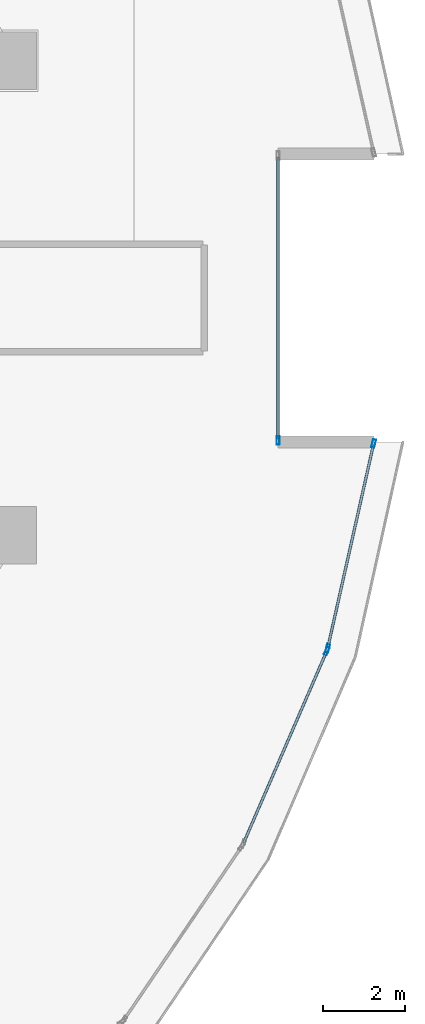
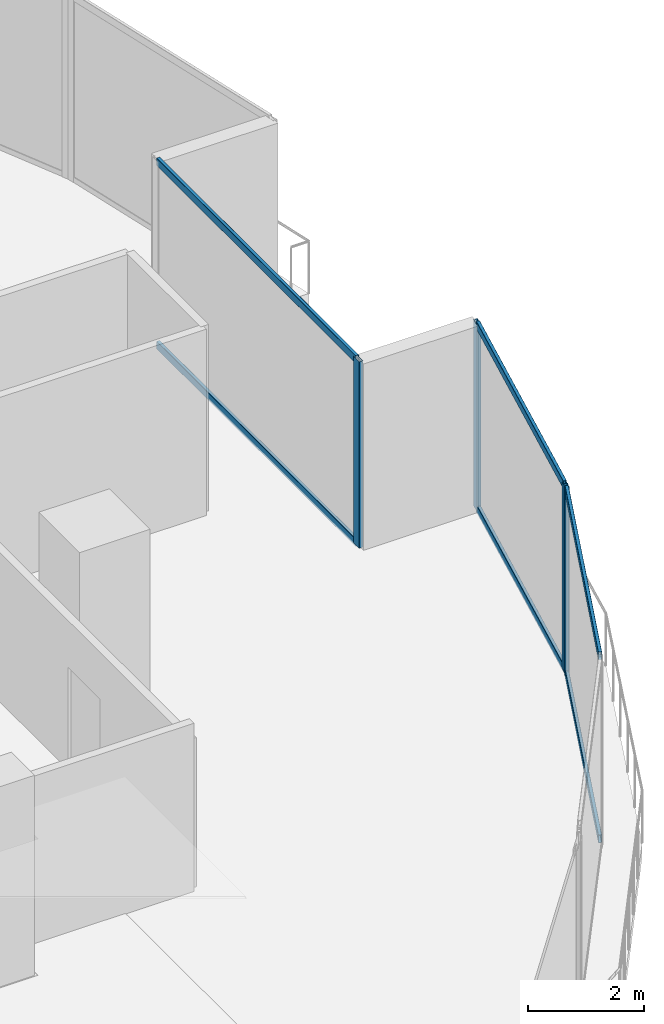
# One storey, part 9 of 25: 10 members, 3 elements without a shape of their own.
"""IFC4 building model written with IfcOpenShell, lengths in metres."""

from ifc_helpers import new_model, si_unit, direction, frame, origin, origin_2d, place, context, subcontext, project, spatial, hollow_rectangle, extrude, material, layer, layer_set, material_profile, profile_set, type_object, element, aggregate, save


model = new_model("IFC4")

# Units and contexts
model_context = context("Model", 3, precision=1e-05, world=origin(), true_north=direction((0.0, 1.0)))
body_context = subcontext(model_context, "Body", "Model", "MODEL_VIEW")
ifc_project = project(units=[si_unit("LENGTHUNIT", "METRE"), si_unit("AREAUNIT", "SQUARE_METRE"), si_unit("VOLUMEUNIT", "CUBIC_METRE"), si_unit("PLANEANGLEUNIT", "RADIAN"), si_unit("MASSUNIT", "GRAM", prefix="KILO")], contexts=[model_context])

# Site, building, storey
site_placement = place(None, origin())
site = spatial("IfcSite", under=ifc_project, at=site_placement, CompositionType="ELEMENT")
building_placement = place(site_placement, origin())
building = spatial("IfcBuilding", under=site, at=building_placement, Name="Qorvath Tower", CompositionType="ELEMENT")
storey_placement = place(building_placement, frame((0.0, 0.0, 297.60009765625)))
storey = spatial("IfcBuildingStorey", under=building, at=storey_placement, Name="L69", CompositionType="ELEMENT", Elevation=297.60009765625)

# Curtain wall, member
ifc_material_1 = material(Name="Anodised aluminium and triple low-E glass", Category="aluminium")
ifc_layer = layer(ifc_material_1, 0.179931640625)
ifc_layer_set = layer_set([ifc_layer], Name="CW-SYS-5")
curtain_wall_type = type_object("IfcCurtainWallType", Name="CW-SYS-5", PredefinedType="NOTDEFINED", material=ifc_layer_set)
curtain_wall_1_placement = place(storey_placement, origin())
curtain_wall_1 = element("IfcCurtainWall", 1, at=curtain_wall_1_placement, inside=storey, type_object=curtain_wall_type, Name="Curtain Wall CW-5 CW-T-L69-6.1", PredefinedType="NOTDEFINED")
ifc_material_2 = material(Name="Anodised aluminium 6063-T6", Category="aluminium")
ifc_material_profile_1 = material_profile(ifc_material_2, hollow_rectangle(XDim=0.074951171875, YDim=0.199951171875, WallThickness=0.00390625, InnerFilletRadius=0.00390625, OuterFilletRadius=0.008056640625, at=origin_2d()), Name="CWM 200x75")
ifc_profile_set_1 = profile_set([ifc_material_profile_1], Name="Anodised aluminium 6063-T6")
member_type_1 = type_object("IfcMemberType", Name="CWM-200", PredefinedType="MULLION", material=ifc_profile_set_1)
member_1_placement = place(storey_placement, frame((-4.352294921875, -8.569580078125, 0.0), z_axis=(0.0, 0.0, 1.0), x_axis=(-0.91753373573, 0.397657948238, 0.0)))
member_1 = element("IfcMember", 2, at=member_1_placement, type_object=member_type_1, Name="CW-5 mullion 2", PredefinedType="MULLION", context=body_context, shape_type="SweptSolid", body=[
    extrude(hollow_rectangle(XDim=0.074951171875, YDim=0.199951171875, WallThickness=0.00390625, InnerFilletRadius=0.00390625, OuterFilletRadius=0.008056640625, at=origin_2d()), origin(), (0.0, 0.0, 1.0), 3.909912109375),
])

# Curtain wall, members
curtain_wall_2_placement = place(storey_placement, origin())
curtain_wall_2 = element("IfcCurtainWall", 3, at=curtain_wall_2_placement, inside=storey, type_object=curtain_wall_type, Name="Curtain Wall CW-5 CW-T-L69-7.1", PredefinedType="NOTDEFINED")
member_2_placement = place(storey_placement, frame((-4.3291015625, -8.49853515625, 0.0), z_axis=(0.0, 0.0, 1.0), x_axis=(-0.975659156603, 0.219292521844, 0.0)))
member_2 = element("IfcMember", 4, at=member_2_placement, type_object=member_type_1, Name="CW-5 mullion 1", PredefinedType="MULLION", context=body_context, shape_type="SweptSolid", body=[
    extrude(hollow_rectangle(XDim=0.074951171875, YDim=0.199951171875, WallThickness=0.00390625, InnerFilletRadius=0.00390625, OuterFilletRadius=0.008056640625, at=origin_2d()), origin(), (0.0, 0.0, 1.0), 3.909912109375),
])
member_3_placement = place(storey_placement, frame((-3.21240234375, -3.530517578125, 0.0), z_axis=(0.0, 0.0, 1.0), x_axis=(-0.975659156603, 0.219292521844, 0.0)))
member_3 = element("IfcMember", 5, at=member_3_placement, type_object=member_type_1, Name="CW-5 mullion 2", PredefinedType="MULLION", context=body_context, shape_type="SweptSolid", body=[
    extrude(hollow_rectangle(XDim=0.074951171875, YDim=0.199951171875, WallThickness=0.00390625, InnerFilletRadius=0.00390625, OuterFilletRadius=0.008056640625, at=origin_2d()), origin(), (0.0, 0.0, 1.0), 3.909912109375),
])

# Curtain wall, member
curtain_wall_3_placement = place(storey_placement, origin())
curtain_wall_3 = element("IfcCurtainWall", 6, at=curtain_wall_3_placement, inside=storey, type_object=curtain_wall_type, Name="Curtain Wall CW-5 CW-T-L69-9.1", PredefinedType="NOTDEFINED")
member_4_placement = place(storey_placement, frame((-5.533447265625, -3.456298828125, 0.0), z_axis=(0.0, 0.0, 1.0), x_axis=(-1.0, 0.0, 0.0)))
member_4 = element("IfcMember", 7, at=member_4_placement, type_object=member_type_1, Name="CW-5 mullion 1", PredefinedType="MULLION", context=body_context, shape_type="SweptSolid", body=[
    extrude(hollow_rectangle(XDim=0.074951171875, YDim=0.199951171875, WallThickness=0.00390625, InnerFilletRadius=0.00390625, OuterFilletRadius=0.008056640625, at=origin_2d()), origin(), (0.0, 0.0, 1.0), 3.909912109375),
])

# Member
ifc_material_3 = material(Name="Anodised aluminium 6063-T6", Category="aluminium")
ifc_material_profile_2 = material_profile(ifc_material_3, hollow_rectangle(XDim=0.06494140625, YDim=0.159912109375, WallThickness=0.00341796875, InnerFilletRadius=0.00341796875, OuterFilletRadius=0.007080078125, at=origin_2d()), Name="CWT 160x65")
ifc_profile_set_2 = profile_set([ifc_material_profile_2], Name="Anodised aluminium 6063-T6")
member_type_2 = type_object("IfcMemberType", Name="CWT-160", PredefinedType="USERDEFINED", material=ifc_profile_set_2)
member_5_placement = place(storey_placement, frame((-6.3623046875, -13.207275390625, 0.032470703125), z_axis=(0.397668890625, 0.917528993236, 0.0), x_axis=(-0.917528993236, 0.397668890625, 0.0)))
member_5 = element("IfcMember", 8, at=member_5_placement, type_object=member_type_2, Name="CW-5 transom 1.1", ObjectType="TRANSOM", PredefinedType="USERDEFINED", context=body_context, shape_type="SweptSolid", body=[
    extrude(hollow_rectangle(XDim=0.06494140625, YDim=0.159912109375, WallThickness=0.00341796875, InnerFilletRadius=0.00341796875, OuterFilletRadius=0.007080078125, at=origin_2d()), origin(), (0.0, 0.0, 1.0), 5.01708984375),
])

member_6_placement = place(storey_placement, frame((-6.3623046875, -13.207275390625, 3.87744140625), z_axis=(0.397668890625, 0.917528993236, 0.0), x_axis=(-0.917528993236, 0.397668890625, 0.0)))
member_6 = element("IfcMember", 9, at=member_6_placement, type_object=member_type_2, Name="CW-5 transom 1.2", ObjectType="TRANSOM", PredefinedType="USERDEFINED", context=body_context, shape_type="SweptSolid", body=[
    extrude(hollow_rectangle(XDim=0.06494140625, YDim=0.159912109375, WallThickness=0.00341796875, InnerFilletRadius=0.00341796875, OuterFilletRadius=0.007080078125, at=origin_2d()), origin(), (0.0, 0.0, 1.0), 5.01708984375),
])

aggregate(curtain_wall_1, [member_1, member_5, member_6])

member_7_placement = place(storey_placement, frame((-4.321044921875, -8.4619140625, 0.032470703125), z_axis=(0.219325759209, 0.975651685463, 0.0), x_axis=(-0.975651685463, 0.219325759209, 0.0)))
member_7 = element("IfcMember", 10, at=member_7_placement, type_object=member_type_2, Name="CW-5 transom 1.1", ObjectType="TRANSOM", PredefinedType="USERDEFINED", context=body_context, shape_type="SweptSolid", body=[
    extrude(hollow_rectangle(XDim=0.06494140625, YDim=0.159912109375, WallThickness=0.00341796875, InnerFilletRadius=0.00341796875, OuterFilletRadius=0.007080078125, at=origin_2d()), origin(), (0.0, 0.0, 1.0), 5.016845703125),
])

member_8_placement = place(storey_placement, frame((-4.321044921875, -8.4619140625, 3.87744140625), z_axis=(0.219325759209, 0.975651685463, 0.0), x_axis=(-0.975651685463, 0.219325759209, 0.0)))
member_8 = element("IfcMember", 11, at=member_8_placement, type_object=member_type_2, Name="CW-5 transom 1.2", ObjectType="TRANSOM", PredefinedType="USERDEFINED", context=body_context, shape_type="SweptSolid", body=[
    extrude(hollow_rectangle(XDim=0.06494140625, YDim=0.159912109375, WallThickness=0.00341796875, InnerFilletRadius=0.00341796875, OuterFilletRadius=0.007080078125, at=origin_2d()), origin(), (0.0, 0.0, 1.0), 5.016845703125),
])

aggregate(curtain_wall_2, [member_2, member_3, member_7, member_8])

member_9_placement = place(storey_placement, frame((-5.533447265625, -3.4189453125, 0.032470703125), z_axis=(0.0, 1.0, 0.0), x_axis=(-1.0, 0.0, 0.0)))
member_9 = element("IfcMember", 12, at=member_9_placement, type_object=member_type_2, Name="CW-5 transom 1.1", ObjectType="TRANSOM", PredefinedType="USERDEFINED", context=body_context, shape_type="SweptSolid", body=[
    extrude(hollow_rectangle(XDim=0.06494140625, YDim=0.159912109375, WallThickness=0.00341796875, InnerFilletRadius=0.00341796875, OuterFilletRadius=0.007080078125, at=origin_2d()), origin(), (0.0, 0.0, 1.0), 6.837890625),
])

member_10_placement = place(storey_placement, frame((-5.533447265625, -3.4189453125, 3.87744140625), z_axis=(0.0, 1.0, 0.0), x_axis=(-1.0, 0.0, 0.0)))
member_10 = element("IfcMember", 13, at=member_10_placement, type_object=member_type_2, Name="CW-5 transom 1.2", ObjectType="TRANSOM", PredefinedType="USERDEFINED", context=body_context, shape_type="SweptSolid", body=[
    extrude(hollow_rectangle(XDim=0.06494140625, YDim=0.159912109375, WallThickness=0.00341796875, InnerFilletRadius=0.00341796875, OuterFilletRadius=0.007080078125, at=origin_2d()), origin(), (0.0, 0.0, 1.0), 6.837890625),
])

aggregate(curtain_wall_3, [member_4, member_9, member_10])

save(model, "model.ifc")
